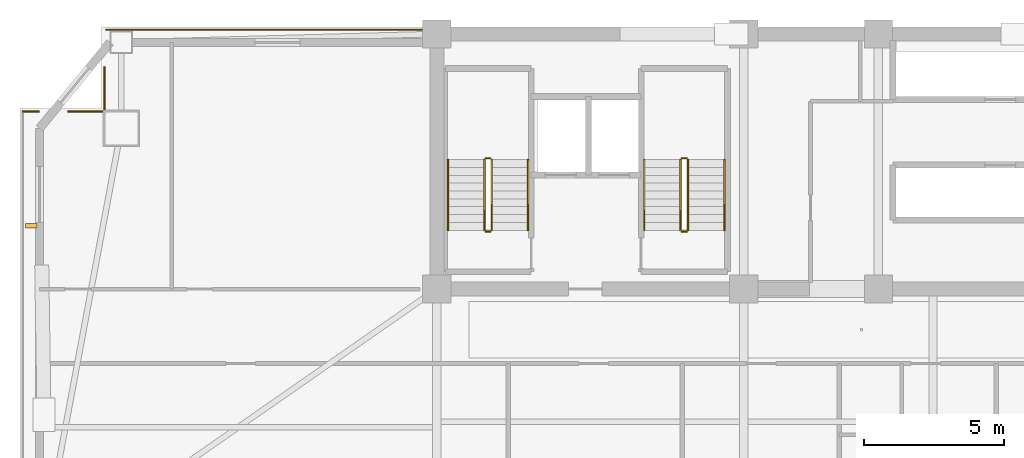
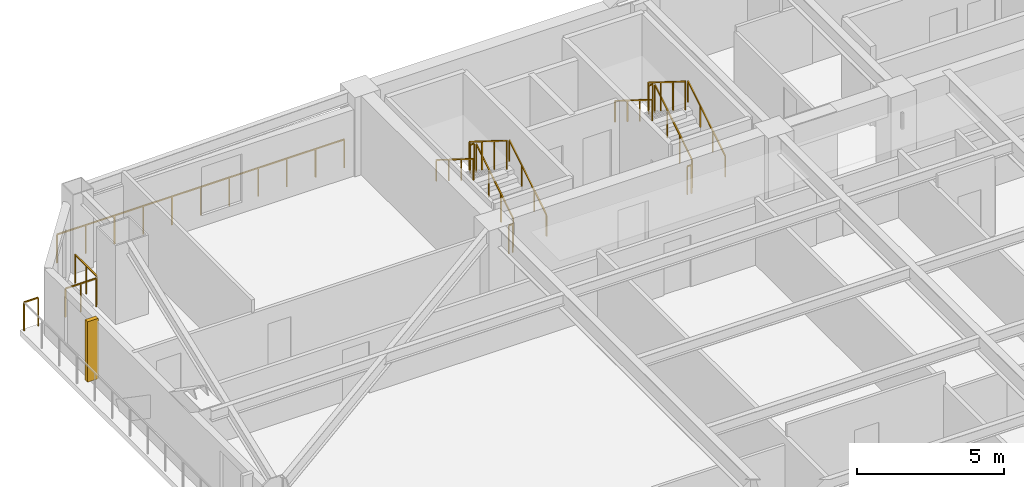
# One storey, part 15 of 16: 16 railings, 1 shading device.
"""IFC4 building model written with IfcOpenShell, lengths in metres."""

import ifcopenshell
import ifcopenshell.guid

model = None  # the IFC model being written
_history = None  # IfcOwnerHistory: only IFC2X3 demands one
_inside = {}  # id of a spatial element -> (the spatial element, [elements in it])
_under = {}  # id of a project, library or spatial element -> (it, [spatial elements below it])
_declared = {}  # id of a project -> (the project, [libraries it declares])
_typed = {}  # id of a type object -> (the type object, [elements of that type])
_made_of = {}  # id of a material, layer set ... -> (it, [elements and type objects made of it])


def new_model(schema):
    """Start an empty IFC model of exactly this schema.

    Asked for "IFC4X3", IfcOpenShell would pick the latest addendum, in which some entities
    have other attributes; the version numbers below select the first issue.
    IFC2X3 requires an IfcOwnerHistory on every rooted entity: one is made here for all.
    """
    global model, _history
    if schema == "IFC4X3":
        model = ifcopenshell.file(schema_version=(4, 3, 0, 0))
    else:
        model = ifcopenshell.file(schema=schema)
    _inside.clear()
    _under.clear()
    _declared.clear()
    _typed.clear()
    _made_of.clear()
    _history = None
    if model.schema == "IFC2X3":
        org = make("IfcOrganization", Name="unknown")
        user = make(
            "IfcPersonAndOrganization",
            ThePerson=make("IfcPerson", FamilyName="unknown"),
            TheOrganization=org,
        )
        app = make(
            "IfcApplication",
            ApplicationDeveloper=org,
            Version="unknown",
            ApplicationFullName="unknown",
            ApplicationIdentifier="unknown",
        )
        _history = make(
            "IfcOwnerHistory",
            OwningUser=user,
            OwningApplication=app,
            ChangeAction="ADDED",
            CreationDate=0,
        )
    return model


def make(cls, **values):
    """One entity of the class cls with the attributes given. An attribute that is None is left unset."""
    return model.create_entity(
        cls, **{name: value for name, value in values.items() if value is not None}
    )


def rooted(cls, **values):
    """An entity with a GlobalId (a new one), such as an element, a storey or a relation."""
    return make(cls, GlobalId=ifcopenshell.guid.new(), OwnerHistory=_history, **values)


def si_unit(unit_type, name, prefix=None):
    """IfcSIUnit, for example si_unit("LENGTHUNIT", "METRE", prefix="MILLI")."""
    return make("IfcSIUnit", UnitType=unit_type, Prefix=prefix, Name=name)


def assignment(units):
    """IfcUnitAssignment: the units of a project."""
    return None if units is None else make("IfcUnitAssignment", Units=units)


def point(xyz):
    """IfcCartesianPoint."""
    return None if xyz is None else make("IfcCartesianPoint", Coordinates=xyz)


def direction(xyz):
    """IfcDirection."""
    return None if xyz is None else make("IfcDirection", DirectionRatios=xyz)


def frame(location, z_axis=None, x_axis=None):
    """IfcAxis2Placement3D, a coordinate frame: its origin and axes. An axis left out is left unset."""
    return make(
        "IfcAxis2Placement3D",
        Location=point(location),
        Axis=direction(z_axis),
        RefDirection=direction(x_axis),
    )


def frame_2d(location, x_axis=None):
    """IfcAxis2Placement2D, a coordinate frame in the plane: its origin and x axis."""
    return make(
        "IfcAxis2Placement2D", Location=point(location), RefDirection=direction(x_axis)
    )


def origin():
    """The frame at (0, 0, 0) with its axes left unset."""
    return frame((0.0, 0.0, 0.0))


def origin_2d():
    """The frame at (0, 0) in the plane with its x axis left unset."""
    return frame_2d((0.0, 0.0))


def place(relative_to, where):
    """IfcLocalPlacement: puts the frame where relative to a parent placement (None: the world)."""
    return make(
        "IfcLocalPlacement", PlacementRelTo=relative_to, RelativePlacement=where
    )


def context(
    kind, dimensions, precision=None, world=None, true_north=None, identifier=None
):
    """IfcGeometricRepresentationContext, for example the 3D "Model" context."""
    return make(
        "IfcGeometricRepresentationContext",
        ContextIdentifier=identifier,
        ContextType=kind,
        CoordinateSpaceDimension=dimensions,
        Precision=precision,
        WorldCoordinateSystem=world,
        TrueNorth=true_north,
    )


def subcontext(parent, identifier, kind, view, scale=None):
    """IfcGeometricRepresentationSubContext, for example "Body" below "Model"."""
    return make(
        "IfcGeometricRepresentationSubContext",
        ContextIdentifier=identifier,
        ContextType=kind,
        ParentContext=parent,
        TargetScale=scale,
        TargetView=view,
    )


def project(units=None, contexts=None):
    """IfcProject with its units and contexts."""
    return rooted(
        "IfcProject",
        Name="project",
        RepresentationContexts=contexts,
        UnitsInContext=assignment(units),
    )


def spatial(cls, under=None, at=None, **own):
    """A site, building, storey or space (cls), placed at a placement, below another one or the project."""
    s = rooted(cls, ObjectPlacement=at, **own)
    if under is not None:
        _under.setdefault(under.id(), (under, []))[1].append(s)
    return s


def profile(cls, at=None, kind="AREA", **sizes):
    """A parametric profile (cls). Its sizes go by their IFC names, for example OverallWidth=200.0."""
    return make(cls, ProfileType=kind, Position=at, **sizes)


def rectangle(**sizes):
    """IfcRectangleProfileDef."""
    return profile("IfcRectangleProfileDef", **sizes)


def extrude(swept, where, along, depth):
    """IfcExtrudedAreaSolid: the profile swept, set in the frame where, extruded along a direction by depth."""
    return make(
        "IfcExtrudedAreaSolid",
        SweptArea=swept,
        Position=where,
        ExtrudedDirection=direction(along),
        Depth=depth,
    )


def shape(context_of_items, identifier, shape_type, items):
    """IfcShapeRepresentation: the items that make up one representation, for example the "Body"."""
    return make(
        "IfcShapeRepresentation",
        ContextOfItems=context_of_items,
        RepresentationIdentifier=identifier,
        RepresentationType=shape_type,
        Items=items,
    )


def source(mapping_origin, context_of_items, identifier, shape_type, items):
    """IfcRepresentationMap: a shape defined once, which mapped items show again and again."""
    return make(
        "IfcRepresentationMap",
        MappingOrigin=mapping_origin,
        MappedRepresentation=shape(context_of_items, identifier, shape_type, items),
    )


def transform(
    local_origin,
    x_axis=None,
    y_axis=None,
    z_axis=None,
    scale=None,
    scale2=None,
    scale3=None,
    uniform=True,
):
    """IfcCartesianTransformationOperator3D, or its non-uniform kind. x_axis, y_axis, z_axis: its Axis1, 2, 3."""
    if uniform:
        return make(
            "IfcCartesianTransformationOperator3D",
            Axis1=direction(x_axis),
            Axis2=direction(y_axis),
            LocalOrigin=point(local_origin),
            Scale=scale,
            Axis3=direction(z_axis),
        )
    return make(
        "IfcCartesianTransformationOperator3DnonUniform",
        Axis1=direction(x_axis),
        Axis2=direction(y_axis),
        LocalOrigin=point(local_origin),
        Scale=scale,
        Axis3=direction(z_axis),
        Scale2=scale2,
        Scale3=scale3,
    )


def mapped(mapping_source, mapping_target):
    """IfcMappedItem: shows the shape of a source again, moved by a transform."""
    return make(
        "IfcMappedItem", MappingSource=mapping_source, MappingTarget=mapping_target
    )


def material(Name=None, Category=None):
    """IfcMaterial."""
    return make("IfcMaterial", Name=Name, Category=Category)


def made_of(thing, what):
    """Note that an element or type object is made of a material, layer set ...; save() writes the relation."""
    if what is not None:
        _made_of.setdefault(what.id(), (what, []))[1].append(thing)
    return thing


def type_object(cls, material=None, **own):
    """A type object (cls), such as IfcWallType, which elements share."""
    return made_of(rooted(cls, **own), material)


def element(
    cls,
    number,
    at=None,
    inside=None,
    cuts=None,
    type_object=None,
    material=None,
    context=None,
    identifier="Body",
    shape_type=None,
    held_by="IfcProductDefinitionShape",
    body=None,
    shapes=None,
    **own,
):
    """One element of the class cls, such as IfcWall. Its Tag is "e" and its number.

    at: its placement. inside: the storey or other place that contains it. cuts: it is an
    opening in that element (IfcRelVoidsElement). A single representation is given by context,
    identifier, shape_type and body (its items); several are given by shapes. held_by: the class
    of the entity that holds the representations. save() writes the other relations.
    """
    e = rooted(cls, Tag="e%d" % number, ObjectPlacement=at, **own)
    if body is not None:
        shapes = [shape(context, identifier, shape_type, body)]
    if shapes is not None:
        e.Representation = make(held_by, Representations=shapes)
    if inside is not None:
        _inside.setdefault(inside.id(), (inside, []))[1].append(e)
    if cuts is not None:
        rooted(
            "IfcRelVoidsElement", RelatingBuildingElement=cuts, RelatedOpeningElement=e
        )
    if type_object is not None:
        _typed.setdefault(type_object.id(), (type_object, []))[1].append(e)
    return made_of(e, material)


def aggregate(whole, parts):
    """IfcRelAggregates: a whole, such as a stair, and the parts it consists of."""
    return rooted("IfcRelAggregates", RelatingObject=whole, RelatedObjects=parts)


def save(model, path):
    """Write the relations noted so far, then the file.

    IfcRelAggregates (storeys below a building ...), IfcRelContainedInSpatialStructure (elements
    in a storey), IfcRelDefinesByType, IfcRelAssociatesMaterial and IfcRelDeclares: one each for
    every whole, place, type object, material and project.
    """
    for whole, parts in _under.values():
        aggregate(whole, parts)
    for where, things in _inside.values():
        rooted(
            "IfcRelContainedInSpatialStructure",
            RelatedElements=things,
            RelatingStructure=where,
        )
    for kind, things in _typed.values():
        rooted("IfcRelDefinesByType", RelatedObjects=things, RelatingType=kind)
    for what, things in _made_of.values():
        rooted("IfcRelAssociatesMaterial", RelatedObjects=things, RelatingMaterial=what)
    for by, libraries in _declared.values():
        rooted("IfcRelDeclares", RelatingContext=by, RelatedDefinitions=libraries)
    model.write(path)


model = new_model("IFC4")

# Units and contexts
model_context = context("Model", 3, precision=1e-05, world=origin(), true_north=direction((0.0, 1.0)))
body_context = subcontext(model_context, "Body", "Model", "MODEL_VIEW")
ifc_project = project(units=[si_unit("LENGTHUNIT", "METRE"), si_unit("AREAUNIT", "SQUARE_METRE"), si_unit("VOLUMEUNIT", "CUBIC_METRE"), si_unit("PLANEANGLEUNIT", "RADIAN"), si_unit("MASSUNIT", "GRAM", prefix="KILO")], contexts=[model_context])

# Site, building, storey
site_placement = place(None, origin())
site = spatial("IfcSite", under=ifc_project, at=site_placement, CompositionType="ELEMENT")
building_placement = place(site_placement, origin())
building = spatial("IfcBuilding", under=site, at=building_placement, Name="Giltprow Tower", CompositionType="ELEMENT")
storey_placement = place(building_placement, frame((0.0, 0.0, 163.199951171875)))
storey = spatial("IfcBuildingStorey", under=building, at=storey_placement, Name="L40", CompositionType="ELEMENT", Elevation=163.199951171875)

# Railings
ifc_material = material(Name="Anodized bronze", Category="metal")
railing_type_1 = type_object("IfcRailingType", Name="RAIL-BALC-GUARD-1200", PredefinedType="BALUSTRADE", material=ifc_material)
railing_1_placement = place(storey_placement, frame((5.083984375, 43.787109375, 0.0)))
element("IfcRailing", 1, at=railing_1_placement, inside=storey, type_object=railing_type_1, Name="L40 Corner Apron Edge Balustrade 6", PredefinedType="BALUSTRADE", context=body_context, shape_type="SweptSolid", body=[
    extrude(rectangle(XDim=0.048095703125, YDim=0.048095703125, at=origin_2d()), frame((0.0, 0.0, 1.17578125), z_axis=(1.0, 0.0, 0.0), x_axis=(0.0, 1.0, 0.0)), (0.0, 0.0, 1.0), 0.56201171875),
    extrude(rectangle(XDim=0.0419921875, YDim=0.0419921875, at=origin_2d()), origin(), (0.0, 0.0, 1.0), 1.15185546875),
    extrude(rectangle(XDim=0.0419921875, YDim=0.0419921875, at=origin_2d()), frame((0.56201171875, 0.0, 0.0)), (0.0, 0.0, 1.0), 1.15185546875),
])
railing_2_placement = place(storey_placement, frame((6.70703125, 43.787109375, 0.0)))
element("IfcRailing", 2, at=railing_2_placement, inside=storey, type_object=railing_type_1, Name="L40 Corner Apron Edge Balustrade 7", PredefinedType="BALUSTRADE", context=body_context, shape_type="SweptSolid", body=[
    extrude(rectangle(XDim=0.048095703125, YDim=0.048095703125, at=origin_2d()), frame((0.0, 0.0, 1.17578125), z_axis=(1.0, 0.0, 0.0), x_axis=(0.0, 1.0, 0.0)), (0.0, 0.0, 1.0), 1.205078125),
    extrude(rectangle(XDim=0.0419921875, YDim=0.0419921875, at=origin_2d()), origin(), (0.0, 0.0, 1.0), 1.15185546875),
    extrude(rectangle(XDim=0.0419921875, YDim=0.0419921875, at=origin_2d()), frame((0.6025390625, 0.0, 0.0)), (0.0, 0.0, 1.0), 1.15185546875),
    extrude(rectangle(XDim=0.0419921875, YDim=0.0419921875, at=origin_2d()), frame((1.205078125, 0.0, 0.0)), (0.0, 0.0, 1.0), 1.15185546875),
])
railing_3_placement = place(storey_placement, frame((7.9970703125, 43.8720703125, 0.0)))
element("IfcRailing", 3, at=railing_3_placement, inside=storey, type_object=railing_type_1, Name="L40 Corner Apron Edge Balustrade 8", PredefinedType="BALUSTRADE", context=body_context, shape_type="SweptSolid", body=[
    extrude(rectangle(XDim=0.048095703125, YDim=0.048095703125, at=origin_2d()), frame((0.0, 0.0, 1.17578125), z_axis=(0.0, 1.0, 0.0), x_axis=(-1.0, 0.0, 0.0)), (0.0, 0.0, 1.0), 1.488037109375),
    extrude(rectangle(XDim=0.0419921875, YDim=0.0419921875, at=origin_2d()), origin(), (0.0, 0.0, 1.0), 1.15185546875),
    extrude(rectangle(XDim=0.0419921875, YDim=0.0419921875, at=origin_2d()), frame((0.0, 0.744140625, 0.0)), (0.0, 0.0, 1.0), 1.15185546875),
    extrude(rectangle(XDim=0.0419921875, YDim=0.0419921875, at=origin_2d()), frame((0.0, 1.488037109375, 0.0)), (0.0, 0.0, 1.0), 1.15185546875),
])
railing_4_placement = place(storey_placement, frame((8.05810546875, 46.699951171875, 0.0)))
element("IfcRailing", 4, at=railing_4_placement, inside=storey, type_object=railing_type_1, Name="L40 Corner Apron Edge Balustrade 9", PredefinedType="BALUSTRADE", context=body_context, shape_type="SweptSolid", body=[
    extrude(rectangle(XDim=0.048095703125, YDim=0.048095703125, at=origin_2d()), frame((0.0, 0.0, 1.17578125), z_axis=(1.0, 0.0, 0.0), x_axis=(0.0, 1.0, 0.0)), (0.0, 0.0, 1.0), 11.2568359375),
    extrude(rectangle(XDim=0.0419921875, YDim=0.0419921875, at=origin_2d()), origin(), (0.0, 0.0, 1.0), 1.15185546875),
    extrude(rectangle(XDim=0.0419921875, YDim=0.0419921875, at=origin_2d()), frame((1.125732421875, 0.0, 0.0)), (0.0, 0.0, 1.0), 1.15185546875),
    extrude(rectangle(XDim=0.0419921875, YDim=0.0419921875, at=origin_2d()), frame((2.25146484375, 0.0, 0.0)), (0.0, 0.0, 1.0), 1.15185546875),
    extrude(rectangle(XDim=0.0419921875, YDim=0.0419921875, at=origin_2d()), frame((3.376953125, 0.0, 0.0)), (0.0, 0.0, 1.0), 1.15185546875),
    extrude(rectangle(XDim=0.0419921875, YDim=0.0419921875, at=origin_2d()), frame((4.502685546875, 0.0, 0.0)), (0.0, 0.0, 1.0), 1.15185546875),
    extrude(rectangle(XDim=0.0419921875, YDim=0.0419921875, at=origin_2d()), frame((5.62841796875, 0.0, 0.0)), (0.0, 0.0, 1.0), 1.15185546875),
    extrude(rectangle(XDim=0.0419921875, YDim=0.0419921875, at=origin_2d()), frame((6.754150390625, 0.0, 0.0)), (0.0, 0.0, 1.0), 1.15185546875),
    extrude(rectangle(XDim=0.0419921875, YDim=0.0419921875, at=origin_2d()), frame((7.8798828125, 0.0, 0.0)), (0.0, 0.0, 1.0), 1.15185546875),
    extrude(rectangle(XDim=0.0419921875, YDim=0.0419921875, at=origin_2d()), frame((9.00537109375, 0.0, 0.0)), (0.0, 0.0, 1.0), 1.15185546875),
    extrude(rectangle(XDim=0.0419921875, YDim=0.0419921875, at=origin_2d()), frame((10.131103515625, 0.0, 0.0)), (0.0, 0.0, 1.0), 1.15185546875),
    extrude(rectangle(XDim=0.0419921875, YDim=0.0419921875, at=origin_2d()), frame((11.2568359375, 0.0, 0.0)), (0.0, 0.0, 1.0), 1.15185546875),
])
railing_type_2 = type_object("IfcRailingType", Name="RAIL-STAIR-GUARD-1200", PredefinedType="GUARDRAIL", material=ifc_material)
railing_5_placement = place(storey_placement, frame((21.81005859375, 39.550048828125, 0.175048828125)))
element("IfcRailing", 5, at=railing_5_placement, inside=storey, type_object=railing_type_2, Name="L40 ST-1 stair guard 1", PredefinedType="GUARDRAIL", context=body_context, shape_type="SweptSolid", body=[
    extrude(rectangle(XDim=0.048095703125, YDim=0.048095703125, at=origin_2d()), frame((0.0, 0.0, 1.17578125), z_axis=(0.0, 0.848007534815, 0.529984170421), x_axis=(-1.0, 0.0, 0.0)), (0.0, 0.0, 1.0), 2.9716796875),
    extrude(rectangle(XDim=0.0419921875, YDim=0.0419921875, at=origin_2d()), origin(), (0.0, 0.0, 1.0), 1.15185546875),
    extrude(rectangle(XDim=0.0419921875, YDim=0.0419921875, at=origin_2d()), frame((0.0, 0.840087890625, 0.52490234375)), (0.0, 0.0, 1.0), 1.15185546875),
    extrude(rectangle(XDim=0.0419921875, YDim=0.0419921875, at=origin_2d()), frame((0.0, 1.679931640625, 1.050048828125)), (0.0, 0.0, 1.0), 1.15185546875),
    extrude(rectangle(XDim=0.0419921875, YDim=0.0419921875, at=origin_2d()), frame((0.0, 2.52001953125, 1.574951171875)), (0.0, 0.0, 1.0), 1.15185546875),
])
railing_6_placement = place(storey_placement, frame((21.760009765625, 42.1201171875, 1.75)))
element("IfcRailing", 6, at=railing_6_placement, inside=storey, type_object=railing_type_2, Name="L40 ST-1 stair guard 2", PredefinedType="GUARDRAIL", context=body_context, shape_type="SweptSolid", body=[
    extrude(rectangle(XDim=0.048095703125, YDim=0.048095703125, at=origin_2d()), frame((0.0, 0.0, 1.17578125), z_axis=(-1.0, 0.0, 0.0), x_axis=(0.0, -1.0, 0.0)), (0.0, 0.0, 1.0), 0.159912109375),
    extrude(rectangle(XDim=0.0419921875, YDim=0.0419921875, at=origin_2d()), origin(), (0.0, 0.0, 1.0), 1.15185546875),
    extrude(rectangle(XDim=0.0419921875, YDim=0.0419921875, at=origin_2d()), frame((-0.159912109375, 0.0, 0.0)), (0.0, 0.0, 1.0), 1.15185546875),
])
railing_7_placement = place(storey_placement, frame((21.550048828125, 42.070068359375, 1.925048828125)))
element("IfcRailing", 7, at=railing_7_placement, inside=storey, type_object=railing_type_2, Name="L40 ST-1 stair guard 3", PredefinedType="GUARDRAIL", context=body_context, shape_type="SweptSolid", body=[
    extrude(rectangle(XDim=0.048095703125, YDim=0.048095703125, at=origin_2d()), frame((0.0, 0.0, 1.17578125), z_axis=(0.0, -0.848007534815, 0.529984170421), x_axis=(1.0, 0.0, 0.0)), (0.0, 0.0, 1.0), 2.9716796875),
    extrude(rectangle(XDim=0.0419921875, YDim=0.0419921875, at=origin_2d()), origin(), (0.0, 0.0, 1.0), 1.15185546875),
    extrude(rectangle(XDim=0.0419921875, YDim=0.0419921875, at=origin_2d()), frame((0.0, -0.840087890625, 0.52490234375)), (0.0, 0.0, 1.0), 1.15185546875),
    extrude(rectangle(XDim=0.0419921875, YDim=0.0419921875, at=origin_2d()), frame((0.0, -1.679931640625, 1.050048828125)), (0.0, 0.0, 1.0), 1.15185546875),
    extrude(rectangle(XDim=0.0419921875, YDim=0.0419921875, at=origin_2d()), frame((0.0, -2.52001953125, 1.574951171875)), (0.0, 0.0, 1.0), 1.15185546875),
])
railing_8_placement = place(storey_placement, frame((21.760009765625, 39.5, 0.0)))
element("IfcRailing", 8, at=railing_8_placement, inside=storey, type_object=railing_type_2, Name="L40 ST-1 stair guard 4", PredefinedType="GUARDRAIL", context=body_context, shape_type="SweptSolid", body=[
    extrude(rectangle(XDim=0.048095703125, YDim=0.048095703125, at=origin_2d()), frame((0.0, 0.0, 1.17578125), z_axis=(-1.0, 0.0, 0.0), x_axis=(0.0, -1.0, 0.0)), (0.0, 0.0, 1.0), 0.159912109375),
    extrude(rectangle(XDim=0.0419921875, YDim=0.0419921875, at=origin_2d()), origin(), (0.0, 0.0, 1.0), 1.15185546875),
    extrude(rectangle(XDim=0.0419921875, YDim=0.0419921875, at=origin_2d()), frame((-0.159912109375, 0.0, 0.0)), (0.0, 0.0, 1.0), 1.15185546875),
])
railing_9_placement = place(storey_placement, frame((28.81005859375, 39.550048828125, 0.175048828125)))
element("IfcRailing", 9, at=railing_9_placement, inside=storey, type_object=railing_type_2, Name="L40 ST-2 stair guard 1", PredefinedType="GUARDRAIL", context=body_context, shape_type="SweptSolid", body=[
    extrude(rectangle(XDim=0.048095703125, YDim=0.048095703125, at=origin_2d()), frame((0.0, 0.0, 1.17578125), z_axis=(0.0, 0.848007534815, 0.529984170421), x_axis=(-1.0, 0.0, 0.0)), (0.0, 0.0, 1.0), 2.9716796875),
    extrude(rectangle(XDim=0.0419921875, YDim=0.0419921875, at=origin_2d()), origin(), (0.0, 0.0, 1.0), 1.15185546875),
    extrude(rectangle(XDim=0.0419921875, YDim=0.0419921875, at=origin_2d()), frame((0.0, 0.840087890625, 0.52490234375)), (0.0, 0.0, 1.0), 1.15185546875),
    extrude(rectangle(XDim=0.0419921875, YDim=0.0419921875, at=origin_2d()), frame((0.0, 1.679931640625, 1.050048828125)), (0.0, 0.0, 1.0), 1.15185546875),
    extrude(rectangle(XDim=0.0419921875, YDim=0.0419921875, at=origin_2d()), frame((0.0, 2.52001953125, 1.574951171875)), (0.0, 0.0, 1.0), 1.15185546875),
])
railing_10_placement = place(storey_placement, frame((28.760009765625, 42.1201171875, 1.75)))
element("IfcRailing", 10, at=railing_10_placement, inside=storey, type_object=railing_type_2, Name="L40 ST-2 stair guard 2", PredefinedType="GUARDRAIL", context=body_context, shape_type="SweptSolid", body=[
    extrude(rectangle(XDim=0.048095703125, YDim=0.048095703125, at=origin_2d()), frame((0.0, 0.0, 1.17578125), z_axis=(-1.0, 0.0, 0.0), x_axis=(0.0, -1.0, 0.0)), (0.0, 0.0, 1.0), 0.159912109375),
    extrude(rectangle(XDim=0.0419921875, YDim=0.0419921875, at=origin_2d()), origin(), (0.0, 0.0, 1.0), 1.15185546875),
    extrude(rectangle(XDim=0.0419921875, YDim=0.0419921875, at=origin_2d()), frame((-0.159912109375, 0.0, 0.0)), (0.0, 0.0, 1.0), 1.15185546875),
])
railing_11_placement = place(storey_placement, frame((28.550048828125, 42.070068359375, 1.925048828125)))
element("IfcRailing", 11, at=railing_11_placement, inside=storey, type_object=railing_type_2, Name="L40 ST-2 stair guard 3", PredefinedType="GUARDRAIL", context=body_context, shape_type="SweptSolid", body=[
    extrude(rectangle(XDim=0.048095703125, YDim=0.048095703125, at=origin_2d()), frame((0.0, 0.0, 1.17578125), z_axis=(0.0, -0.848007534815, 0.529984170421), x_axis=(1.0, 0.0, 0.0)), (0.0, 0.0, 1.0), 2.9716796875),
    extrude(rectangle(XDim=0.0419921875, YDim=0.0419921875, at=origin_2d()), origin(), (0.0, 0.0, 1.0), 1.15185546875),
    extrude(rectangle(XDim=0.0419921875, YDim=0.0419921875, at=origin_2d()), frame((0.0, -0.840087890625, 0.52490234375)), (0.0, 0.0, 1.0), 1.15185546875),
    extrude(rectangle(XDim=0.0419921875, YDim=0.0419921875, at=origin_2d()), frame((0.0, -1.679931640625, 1.050048828125)), (0.0, 0.0, 1.0), 1.15185546875),
    extrude(rectangle(XDim=0.0419921875, YDim=0.0419921875, at=origin_2d()), frame((0.0, -2.52001953125, 1.574951171875)), (0.0, 0.0, 1.0), 1.15185546875),
])
railing_12_placement = place(storey_placement, frame((28.760009765625, 39.5, 0.0)))
element("IfcRailing", 12, at=railing_12_placement, inside=storey, type_object=railing_type_2, Name="L40 ST-2 stair guard 4", PredefinedType="GUARDRAIL", context=body_context, shape_type="SweptSolid", body=[
    extrude(rectangle(XDim=0.048095703125, YDim=0.048095703125, at=origin_2d()), frame((0.0, 0.0, 1.17578125), z_axis=(-1.0, 0.0, 0.0), x_axis=(0.0, -1.0, 0.0)), (0.0, 0.0, 1.0), 0.159912109375),
    extrude(rectangle(XDim=0.0419921875, YDim=0.0419921875, at=origin_2d()), origin(), (0.0, 0.0, 1.0), 1.15185546875),
    extrude(rectangle(XDim=0.0419921875, YDim=0.0419921875, at=origin_2d()), frame((-0.159912109375, 0.0, 0.0)), (0.0, 0.0, 1.0), 1.15185546875),
])
railing_type_3 = type_object("IfcRailingType", Name="RAIL-STAIR-HAND-900", PredefinedType="HANDRAIL", material=ifc_material)
railing_13_placement = place(storey_placement, frame((23.110107421875, 39.550048828125, 0.175048828125)))
element("IfcRailing", 13, at=railing_13_placement, inside=storey, type_object=railing_type_3, Name="L40 ST-1 stair handrail 1", PredefinedType="HANDRAIL", context=body_context, shape_type="SweptSolid", body=[
    extrude(rectangle(XDim=0.048095703125, YDim=0.048095703125, at=origin_2d()), frame((0.0, 0.0, 0.8759765625), z_axis=(0.0, 0.848007534815, 0.529984170421), x_axis=(-1.0, 0.0, 0.0)), (0.0, 0.0, 1.0), 2.9716796875),
    extrude(rectangle(XDim=0.0419921875, YDim=0.0419921875, at=origin_2d()), origin(), (0.0, 0.0, 1.0), 0.851806640625),
    extrude(rectangle(XDim=0.0419921875, YDim=0.0419921875, at=origin_2d()), frame((0.0, 0.840087890625, 0.52490234375)), (0.0, 0.0, 1.0), 0.851806640625),
    extrude(rectangle(XDim=0.0419921875, YDim=0.0419921875, at=origin_2d()), frame((0.0, 1.679931640625, 1.050048828125)), (0.0, 0.0, 1.0), 0.851806640625),
    extrude(rectangle(XDim=0.0419921875, YDim=0.0419921875, at=origin_2d()), frame((0.0, 2.52001953125, 1.574951171875)), (0.0, 0.0, 1.0), 0.851806640625),
])
railing_14_placement = place(storey_placement, frame((20.25, 42.070068359375, 1.925048828125)))
element("IfcRailing", 14, at=railing_14_placement, inside=storey, type_object=railing_type_3, Name="L40 ST-1 stair handrail 2", PredefinedType="HANDRAIL", context=body_context, shape_type="SweptSolid", body=[
    extrude(rectangle(XDim=0.048095703125, YDim=0.048095703125, at=origin_2d()), frame((0.0, 0.0, 0.8759765625), z_axis=(0.0, -0.848007534815, 0.529984170421), x_axis=(1.0, 0.0, 0.0)), (0.0, 0.0, 1.0), 2.9716796875),
    extrude(rectangle(XDim=0.0419921875, YDim=0.0419921875, at=origin_2d()), origin(), (0.0, 0.0, 1.0), 0.851806640625),
    extrude(rectangle(XDim=0.0419921875, YDim=0.0419921875, at=origin_2d()), frame((0.0, -0.840087890625, 0.52490234375)), (0.0, 0.0, 1.0), 0.851806640625),
    extrude(rectangle(XDim=0.0419921875, YDim=0.0419921875, at=origin_2d()), frame((0.0, -1.679931640625, 1.050048828125)), (0.0, 0.0, 1.0), 0.851806640625),
    extrude(rectangle(XDim=0.0419921875, YDim=0.0419921875, at=origin_2d()), frame((0.0, -2.52001953125, 1.574951171875)), (0.0, 0.0, 1.0), 0.851806640625),
])
railing_15_placement = place(storey_placement, frame((30.110107421875, 39.550048828125, 0.175048828125)))
element("IfcRailing", 15, at=railing_15_placement, inside=storey, type_object=railing_type_3, Name="L40 ST-2 stair handrail 1", PredefinedType="HANDRAIL", context=body_context, shape_type="SweptSolid", body=[
    extrude(rectangle(XDim=0.048095703125, YDim=0.048095703125, at=origin_2d()), frame((0.0, 0.0, 0.8759765625), z_axis=(0.0, 0.848007534815, 0.529984170421), x_axis=(-1.0, 0.0, 0.0)), (0.0, 0.0, 1.0), 2.9716796875),
    extrude(rectangle(XDim=0.0419921875, YDim=0.0419921875, at=origin_2d()), origin(), (0.0, 0.0, 1.0), 0.851806640625),
    extrude(rectangle(XDim=0.0419921875, YDim=0.0419921875, at=origin_2d()), frame((0.0, 0.840087890625, 0.52490234375)), (0.0, 0.0, 1.0), 0.851806640625),
    extrude(rectangle(XDim=0.0419921875, YDim=0.0419921875, at=origin_2d()), frame((0.0, 1.679931640625, 1.050048828125)), (0.0, 0.0, 1.0), 0.851806640625),
    extrude(rectangle(XDim=0.0419921875, YDim=0.0419921875, at=origin_2d()), frame((0.0, 2.52001953125, 1.574951171875)), (0.0, 0.0, 1.0), 0.851806640625),
])
railing_16_placement = place(storey_placement, frame((27.25, 42.070068359375, 1.925048828125)))
element("IfcRailing", 16, at=railing_16_placement, inside=storey, type_object=railing_type_3, Name="L40 ST-2 stair handrail 2", PredefinedType="HANDRAIL", context=body_context, shape_type="SweptSolid", body=[
    extrude(rectangle(XDim=0.048095703125, YDim=0.048095703125, at=origin_2d()), frame((0.0, 0.0, 0.8759765625), z_axis=(0.0, -0.848007534815, 0.529984170421), x_axis=(1.0, 0.0, 0.0)), (0.0, 0.0, 1.0), 2.9716796875),
    extrude(rectangle(XDim=0.0419921875, YDim=0.0419921875, at=origin_2d()), origin(), (0.0, 0.0, 1.0), 0.851806640625),
    extrude(rectangle(XDim=0.0419921875, YDim=0.0419921875, at=origin_2d()), frame((0.0, -0.840087890625, 0.52490234375)), (0.0, 0.0, 1.0), 0.851806640625),
    extrude(rectangle(XDim=0.0419921875, YDim=0.0419921875, at=origin_2d()), frame((0.0, -1.679931640625, 1.050048828125)), (0.0, 0.0, 1.0), 0.851806640625),
    extrude(rectangle(XDim=0.0419921875, YDim=0.0419921875, at=origin_2d()), frame((0.0, -2.52001953125, 1.574951171875)), (0.0, 0.0, 1.0), 0.851806640625),
])

# Shading device
shading_device_type = type_object("IfcShadingDeviceType", Name="SHD-FIN-420", PredefinedType="USERDEFINED", material=ifc_material)
shared_shape = source(origin(), body_context, "Body", "SweptSolid", [
    extrude(rectangle(XDim=0.419921875, YDim=0.159912109375, at=origin_2d()), origin(), (0.0, 0.0, 1.0), 2.5),
])
shading_device_placement = place(storey_placement, frame((5.384033203125, 39.712890625, 0.35009765625), z_axis=(0.0, 0.0, 1.0), x_axis=(1.0, 0.0, 0.0)))
element("IfcShadingDevice", 17, at=shading_device_placement, inside=storey, type_object=shading_device_type, Name="L40 W Bronze Vertical Fin 2-2", ObjectType="FIN", PredefinedType="USERDEFINED", context=body_context, shape_type="MappedRepresentation", body=[
    mapped(shared_shape, transform((0.0, 0.0, 0.0), x_axis=(1.0, 0.0, 0.0), y_axis=(0.0, 1.0, 0.0), z_axis=(0.0, 0.0, 1.0), scale=1.0)),
])

save(model, "model.ifc")
